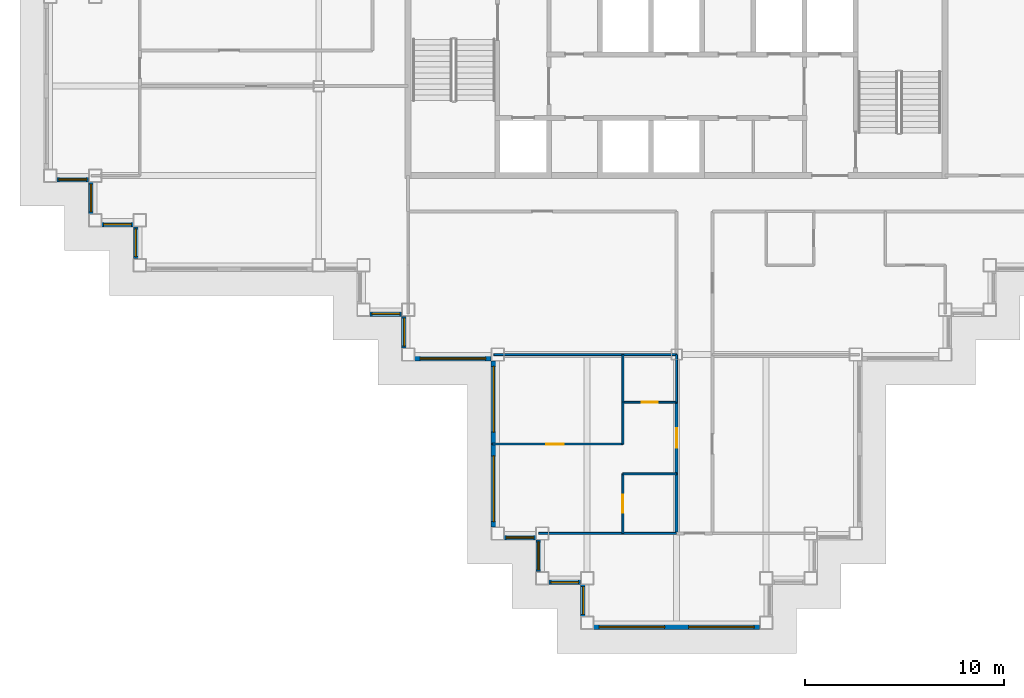
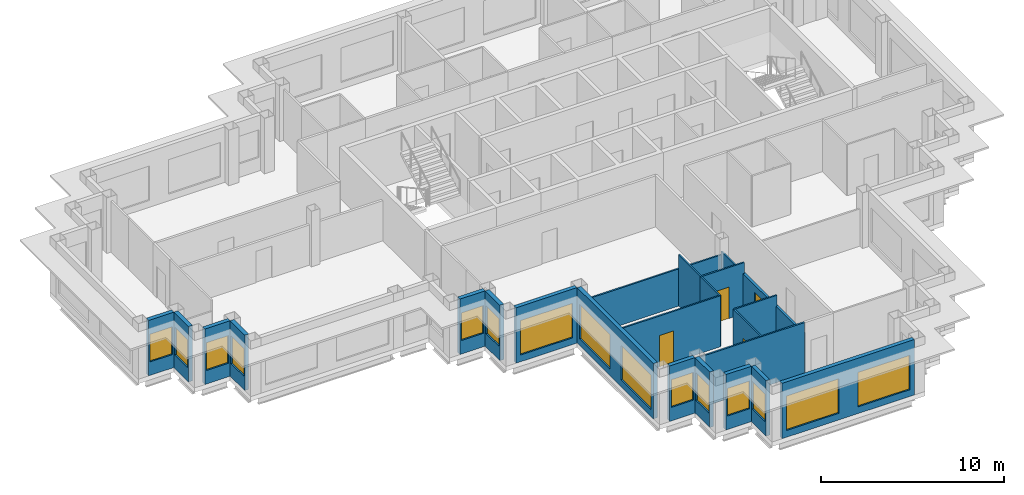
# One storey, part 2 of 11: 24 walls, 15 windows, 4 doors, 19 openings.
"""IFC4 building model written with IfcOpenShell, lengths in metres."""

from ifc_helpers import new_model, si_unit, direction, frame, frame_2d, origin, place, context, subcontext, project, spatial, rectangle, extrude, material, layer, layer_set, type_object, element, fill, save


model = new_model("IFC4")

# Units and contexts
model_context = context("Model", 3, precision=1e-05, world=origin(), true_north=direction((0.0, 1.0)))
body_context = subcontext(model_context, "Body", "Model", "MODEL_VIEW")
ifc_project = project(units=[si_unit("LENGTHUNIT", "METRE"), si_unit("AREAUNIT", "SQUARE_METRE"), si_unit("VOLUMEUNIT", "CUBIC_METRE"), si_unit("PLANEANGLEUNIT", "RADIAN"), si_unit("MASSUNIT", "GRAM", prefix="KILO")], contexts=[model_context])

# Site, building, storey
site_placement = place(None, origin())
site = spatial("IfcSite", under=ifc_project, at=site_placement, CompositionType="ELEMENT")
building_placement = place(site_placement, origin())
building = spatial("IfcBuilding", under=site, at=building_placement, Name="Caravel Reach Hotel and Residences", CompositionType="ELEMENT")
storey_placement = place(building_placement, frame((0.0, 0.0, 225.699951171875)))
storey = spatial("IfcBuildingStorey", under=building, at=storey_placement, Name="L57", CompositionType="ELEMENT", Elevation=225.699951171875)

# Wall, opening, door
ifc_material_1 = material(Name="Gypsum board on steel stud", Category="steel")
ifc_layer_1 = layer(ifc_material_1, 0.10009765625)
ifc_layer_set_1 = layer_set([ifc_layer_1], Name="Bathroom pod wall 100 mm")
wall_type_1 = type_object("IfcWallType", Name="Bathroom pod wall 100 mm", PredefinedType="PARTITIONING", material=ifc_layer_set_1)
wall_1_placement = place(storey_placement, frame((28.800048828125, 11.10009765625, 0.0), z_axis=(0.0, 0.0, 1.0), x_axis=(1.0, 0.0, 0.0)))
wall_1 = element("IfcWall", 1, at=wall_1_placement, inside=storey, type_object=wall_type_1, Name="L57 wall w062", PredefinedType="PARTITIONING", context=body_context, shape_type="SweptSolid", body=[
    extrude(rectangle(XDim=2.699951171875, YDim=0.10009765625, at=frame_2d((1.35009765625, 0.0))), origin(), (0.0, 0.0, 1.0), 3.400146484375),
])
opening_1_placement = place(wall_1_placement, frame((0.949951171875, 0.0, 0.0)))
opening_1 = element("IfcOpeningElement", 2, at=opening_1_placement, cuts=wall_1, Name="Opening D57-035", PredefinedType="OPENING", context=body_context, shape_type="SweptSolid", body=[
    extrude(rectangle(XDim=0.800048828125, YDim=2.10009765625, at=frame_2d((0.39990234375, 1.050048828125))), frame((0.0, 0.06005859375, 0.0), z_axis=(0.0, -1.0, 0.0), x_axis=(1.0, 0.0, 0.0)), (0.0, 0.0, 1.0), 0.1201171875),
])
ifc_material_2 = material(Name="Timber and steel door leaf", Category="steel")
door_type_1 = type_object("IfcDoorType", Name="Bathroom door 800 x 2100", OperationType="SINGLE_SWING_LEFT", PredefinedType="DOOR", material=ifc_material_2)
door_1_placement = place(opening_1_placement, origin())
door_1 = element("IfcDoor", 3, at=door_1_placement, inside=storey, type_object=door_type_1, Name="door D57-035", OperationType="SINGLE_SWING_RIGHT", OverallHeight=2.10009765625, OverallWidth=0.800048828125, PredefinedType="DOOR", context=body_context, shape_type="SweptSolid", body=[
    extrude(rectangle(XDim=0.800048828125, YDim=2.10009765625, at=frame_2d((0.39990234375, 1.050048828125))), frame((0.0, 0.02490234375, 0.0), z_axis=(0.0, -1.0, 0.0), x_axis=(1.0, 0.0, 0.0)), (0.0, 0.0, 1.0), 0.050048828125),
])
fill(opening_1, door_1)

# Walls
wall_2_placement = place(storey_placement, frame((28.800048828125, 13.5, 0.0), z_axis=(0.0, 0.0, 1.0), x_axis=(1.0, 0.0, 0.0)))
element("IfcWall", 4, at=wall_2_placement, inside=storey, type_object=wall_type_1, Name="L57 wall w063", PredefinedType="PARTITIONING", context=body_context, shape_type="SweptSolid", body=[
    extrude(rectangle(XDim=2.699951171875, YDim=0.10009765625, at=frame_2d((1.35009765625, 0.0))), origin(), (0.0, 0.0, 1.0), 2.47998046875),
])
wall_3_placement = place(storey_placement, frame((28.800048828125, 11.10009765625, 0.0), z_axis=(0.0, 0.0, 1.0), x_axis=(0.0, 1.0, 0.0)))
element("IfcWall", 5, at=wall_3_placement, inside=storey, type_object=wall_type_1, Name="L57 wall w076", PredefinedType="PARTITIONING", context=body_context, shape_type="SweptSolid", body=[
    extrude(rectangle(XDim=2.39990234375, YDim=0.10009765625, at=frame_2d((1.199951171875, 0.0))), origin(), (0.0, 0.0, 1.0), 3.400146484375),
])
wall_4_placement = place(storey_placement, frame((31.5, 11.10009765625, 0.0), z_axis=(0.0, 0.0, 1.0), x_axis=(0.0, 1.0, 0.0)))
element("IfcWall", 6, at=wall_4_placement, inside=storey, type_object=wall_type_1, Name="L57 wall w078", PredefinedType="PARTITIONING", context=body_context, shape_type="SweptSolid", body=[
    extrude(rectangle(XDim=2.39990234375, YDim=0.10009765625, at=frame_2d((1.199951171875, 0.0))), origin(), (0.0, 0.0, 1.0), 2.679931640625),
])

# Wall, opening, door
ifc_material_3 = material(Name="Gypsum board on steel stud, fire-rated", Category="steel")
ifc_layer_2 = layer(ifc_material_3, 0.14990234375)
ifc_layer_set_2 = layer_set([ifc_layer_2], Name="Corridor wall 150 mm EI 60")
wall_type_2 = type_object("IfcWallType", Name="Corridor wall 150 mm EI 60", PredefinedType="PARTITIONING", material=ifc_layer_set_2)
wall_5_placement = place(storey_placement, frame((31.5, 4.5, 0.0), z_axis=(0.0, 0.0, 1.0), x_axis=(0.0, 1.0, 0.0)))
wall_5 = element("IfcWall", 7, at=wall_5_placement, inside=storey, type_object=wall_type_2, Name="L57 wall w021", PredefinedType="PARTITIONING", context=body_context, shape_type="SweptSolid", body=[
    extrude(rectangle(XDim=6.60009765625, YDim=0.14990234375, at=frame_2d((3.300048828125, 0.0))), origin(), (0.0, 0.0, 1.0), 2.679931640625),
])
opening_2_placement = place(wall_5_placement, frame((4.300048828125, 0.0, 0.0)))
opening_2 = element("IfcOpeningElement", 8, at=opening_2_placement, cuts=wall_5, Name="Opening D57-033", PredefinedType="OPENING", context=body_context, shape_type="SweptSolid", body=[
    extrude(rectangle(XDim=1.0, YDim=2.199951171875, at=frame_2d((0.5, 1.10009765625))), frame((0.0, 0.0849609375, 0.0), z_axis=(0.0, -1.0, 0.0), x_axis=(1.0, 0.0, 0.0)), (0.0, 0.0, 1.0), 0.169921875),
])
ifc_material_4 = material(Name="Steel fire door leaf", Category="steel")
door_type_2 = type_object("IfcDoorType", Name="Flat entrance door 1000 x 2200 EI 60", OperationType="SINGLE_SWING_LEFT", PredefinedType="DOOR", material=ifc_material_4)
door_2_placement = place(opening_2_placement, origin())
door_2 = element("IfcDoor", 9, at=door_2_placement, inside=storey, type_object=door_type_2, Name="door D57-033", OperationType="SINGLE_SWING_RIGHT", OverallHeight=2.199951171875, OverallWidth=1.0, PredefinedType="DOOR", context=body_context, shape_type="SweptSolid", body=[
    extrude(rectangle(XDim=1.0, YDim=2.199951171875, at=frame_2d((0.5, 1.10009765625))), frame((0.0, 0.02490234375, 0.0), z_axis=(0.0, -1.0, 0.0), x_axis=(1.0, 0.0, 0.0)), (0.0, 0.0, 1.0), 0.050048828125),
])
fill(opening_2, door_2)

# Wall, opening, window
ifc_material_5 = material(Name="Insulated rainscreen wall, aluminium cladding", Category="aluminium")
ifc_layer_3 = layer(ifc_material_5, 0.25)
ifc_layer_set_3 = layer_set([ifc_layer_3], Name="EW1 Tower rainscreen wall")
wall_type_3 = type_object("IfcWallType", Name="EW1 Tower rainscreen wall", PredefinedType="SOLIDWALL", material=ifc_layer_set_3)
wall_6_placement = place(storey_placement, frame((0.324951171875, 22.300048828125, 0.0), z_axis=(0.0, 0.0, 1.0), x_axis=(1.0, 0.0, 0.0)))
wall_6 = element("IfcWall", 10, at=wall_6_placement, inside=storey, type_object=wall_type_3, Name="External wall L57 S21.1", PredefinedType="SOLIDWALL", context=body_context, shape_type="SweptSolid", body=[
    extrude(rectangle(XDim=1.60009765625, YDim=0.25, at=frame_2d((0.800048828125, 0.0))), origin(), (0.0, 0.0, 1.0), 3.699951171875),
])
opening_3_placement = place(wall_6_placement, frame((0.10009765625, 0.0, 0.89990234375)))
opening_3 = element("IfcOpeningElement", 11, at=opening_3_placement, cuts=wall_6, Name="Opening WN22", PredefinedType="OPENING", context=body_context, shape_type="SweptSolid", body=[
    extrude(rectangle(XDim=1.39990234375, YDim=1.85009765625, at=frame_2d((0.699951171875, 0.925048828125))), frame((0.0, 0.135009765625, 0.0), z_axis=(0.0, -1.0, 0.0), x_axis=(1.0, 0.0, 0.0)), (0.0, 0.0, 1.0), 0.27001953125),
])
ifc_material_6 = material(Name="Dark low-e glazing in black aluminium frame", Category="aluminium")
window_type_1 = type_object("IfcWindowType", Name="Residence bedroom window 1400 x 1850", PartitioningType="SINGLE_PANEL", PredefinedType="WINDOW", material=ifc_material_6)
window_1_placement = place(opening_3_placement, origin())
window_1 = element("IfcWindow", 12, at=window_1_placement, inside=storey, type_object=window_type_1, Name="Window L57 S21.1.1", OverallHeight=1.85009765625, OverallWidth=1.39990234375, PartitioningType="SINGLE_PANEL", PredefinedType="WINDOW", context=body_context, shape_type="SweptSolid", body=[
    extrude(rectangle(XDim=1.39990234375, YDim=1.85009765625, at=frame_2d((0.699951171875, 0.925048828125))), frame((0.0, 0.030029296875, 0.0), z_axis=(0.0, -1.0, 0.0), x_axis=(1.0, 0.0, 0.0)), (0.0, 0.0, 1.0), 0.06005859375),
])
fill(opening_3, window_1)

wall_7_placement = place(storey_placement, frame((2.050048828125, 22.175048828125, 0.0), z_axis=(0.0, 0.0, 1.0), x_axis=(0.0, -1.0, 0.0)))
wall_7 = element("IfcWall", 13, at=wall_7_placement, inside=storey, type_object=wall_type_3, Name="External wall L57 W22.1", PredefinedType="SOLIDWALL", context=body_context, shape_type="SweptSolid", body=[
    extrude(rectangle(XDim=1.60009765625, YDim=0.25, at=frame_2d((0.800048828125, 0.0))), origin(), (0.0, 0.0, 1.0), 3.699951171875),
])
opening_4_placement = place(wall_7_placement, frame((0.10009765625, 0.0, 0.89990234375)))
opening_4 = element("IfcOpeningElement", 14, at=opening_4_placement, cuts=wall_7, Name="Opening WN22", PredefinedType="OPENING", context=body_context, shape_type="SweptSolid", body=[
    extrude(rectangle(XDim=1.39990234375, YDim=1.85009765625, at=frame_2d((0.699951171875, 0.925048828125))), frame((0.0, 0.135009765625, 0.0), z_axis=(0.0, -1.0, 0.0), x_axis=(1.0, 0.0, 0.0)), (0.0, 0.0, 1.0), 0.27001953125),
])
window_2_placement = place(opening_4_placement, origin())
window_2 = element("IfcWindow", 15, at=window_2_placement, inside=storey, type_object=window_type_1, Name="Window L57 W22.1.1", OverallHeight=1.85009765625, OverallWidth=1.39990234375, PartitioningType="SINGLE_PANEL", PredefinedType="WINDOW", context=body_context, shape_type="SweptSolid", body=[
    extrude(rectangle(XDim=1.39990234375, YDim=1.85009765625, at=frame_2d((0.699951171875, 0.925048828125))), frame((0.0, 0.030029296875, 0.0), z_axis=(0.0, -1.0, 0.0), x_axis=(1.0, 0.0, 0.0)), (0.0, 0.0, 1.0), 0.06005859375),
])
fill(opening_4, window_2)

wall_8_placement = place(storey_placement, frame((2.574951171875, 20.050048828125, 0.0), z_axis=(0.0, 0.0, 1.0), x_axis=(1.0, 0.0, 0.0)))
wall_8 = element("IfcWall", 16, at=wall_8_placement, inside=storey, type_object=wall_type_3, Name="External wall L57 S23.1", PredefinedType="SOLIDWALL", context=body_context, shape_type="SweptSolid", body=[
    extrude(rectangle(XDim=1.60009765625, YDim=0.25, at=frame_2d((0.800048828125, 0.0))), origin(), (0.0, 0.0, 1.0), 3.699951171875),
])
opening_5_placement = place(wall_8_placement, frame((0.10009765625, 0.0, 0.89990234375)))
opening_5 = element("IfcOpeningElement", 17, at=opening_5_placement, cuts=wall_8, Name="Opening WN22", PredefinedType="OPENING", context=body_context, shape_type="SweptSolid", body=[
    extrude(rectangle(XDim=1.39990234375, YDim=1.85009765625, at=frame_2d((0.699951171875, 0.925048828125))), frame((0.0, 0.135009765625, 0.0), z_axis=(0.0, -1.0, 0.0), x_axis=(1.0, 0.0, 0.0)), (0.0, 0.0, 1.0), 0.27001953125),
])
window_3_placement = place(opening_5_placement, origin())
window_3 = element("IfcWindow", 18, at=window_3_placement, inside=storey, type_object=window_type_1, Name="Window L57 S23.1.1", OverallHeight=1.85009765625, OverallWidth=1.39990234375, PartitioningType="SINGLE_PANEL", PredefinedType="WINDOW", context=body_context, shape_type="SweptSolid", body=[
    extrude(rectangle(XDim=1.39990234375, YDim=1.85009765625, at=frame_2d((0.699951171875, 0.925048828125))), frame((0.0, 0.030029296875, 0.0), z_axis=(0.0, -1.0, 0.0), x_axis=(1.0, 0.0, 0.0)), (0.0, 0.0, 1.0), 0.06005859375),
])
fill(opening_5, window_3)

wall_9_placement = place(storey_placement, frame((4.300048828125, 19.925048828125, 0.0), z_axis=(0.0, 0.0, 1.0), x_axis=(0.0, -1.0, 0.0)))
wall_9 = element("IfcWall", 19, at=wall_9_placement, inside=storey, type_object=wall_type_3, Name="External wall L57 W24.1", PredefinedType="SOLIDWALL", context=body_context, shape_type="SweptSolid", body=[
    extrude(rectangle(XDim=1.60009765625, YDim=0.25, at=frame_2d((0.800048828125, 0.0))), origin(), (0.0, 0.0, 1.0), 3.699951171875),
])
opening_6_placement = place(wall_9_placement, frame((0.10009765625, 0.0, 0.89990234375)))
opening_6 = element("IfcOpeningElement", 20, at=opening_6_placement, cuts=wall_9, Name="Opening WN22", PredefinedType="OPENING", context=body_context, shape_type="SweptSolid", body=[
    extrude(rectangle(XDim=1.39990234375, YDim=1.85009765625, at=frame_2d((0.699951171875, 0.925048828125))), frame((0.0, 0.135009765625, 0.0), z_axis=(0.0, -1.0, 0.0), x_axis=(1.0, 0.0, 0.0)), (0.0, 0.0, 1.0), 0.27001953125),
])
window_4_placement = place(opening_6_placement, origin())
window_4 = element("IfcWindow", 21, at=window_4_placement, inside=storey, type_object=window_type_1, Name="Window L57 W24.1.1", OverallHeight=1.85009765625, OverallWidth=1.39990234375, PartitioningType="SINGLE_PANEL", PredefinedType="WINDOW", context=body_context, shape_type="SweptSolid", body=[
    extrude(rectangle(XDim=1.39990234375, YDim=1.85009765625, at=frame_2d((0.699951171875, 0.925048828125))), frame((0.0, 0.030029296875, 0.0), z_axis=(0.0, -1.0, 0.0), x_axis=(1.0, 0.0, 0.0)), (0.0, 0.0, 1.0), 0.06005859375),
])
fill(opening_6, window_4)

wall_10_placement = place(storey_placement, frame((16.074951171875, 15.550048828125, 0.0), z_axis=(0.0, 0.0, 1.0), x_axis=(1.0, 0.0, 0.0)))
wall_10 = element("IfcWall", 22, at=wall_10_placement, inside=storey, type_object=wall_type_3, Name="External wall L57 S27.1", PredefinedType="SOLIDWALL", context=body_context, shape_type="SweptSolid", body=[
    extrude(rectangle(XDim=1.60009765625, YDim=0.25, at=frame_2d((0.800048828125, 0.0))), origin(), (0.0, 0.0, 1.0), 3.699951171875),
])
opening_7_placement = place(wall_10_placement, frame((0.10009765625, 0.0, 0.89990234375)))
opening_7 = element("IfcOpeningElement", 23, at=opening_7_placement, cuts=wall_10, Name="Opening WN22", PredefinedType="OPENING", context=body_context, shape_type="SweptSolid", body=[
    extrude(rectangle(XDim=1.39990234375, YDim=1.85009765625, at=frame_2d((0.699951171875, 0.925048828125))), frame((0.0, 0.135009765625, 0.0), z_axis=(0.0, -1.0, 0.0), x_axis=(1.0, 0.0, 0.0)), (0.0, 0.0, 1.0), 0.27001953125),
])
window_5_placement = place(opening_7_placement, origin())
window_5 = element("IfcWindow", 24, at=window_5_placement, inside=storey, type_object=window_type_1, Name="Window L57 S27.1.1", OverallHeight=1.85009765625, OverallWidth=1.39990234375, PartitioningType="SINGLE_PANEL", PredefinedType="WINDOW", context=body_context, shape_type="SweptSolid", body=[
    extrude(rectangle(XDim=1.39990234375, YDim=1.85009765625, at=frame_2d((0.699951171875, 0.925048828125))), frame((0.0, 0.030029296875, 0.0), z_axis=(0.0, -1.0, 0.0), x_axis=(1.0, 0.0, 0.0)), (0.0, 0.0, 1.0), 0.06005859375),
])
fill(opening_7, window_5)

wall_11_placement = place(storey_placement, frame((17.800048828125, 15.425048828125, 0.0), z_axis=(0.0, 0.0, 1.0), x_axis=(0.0, -1.0, 0.0)))
wall_11 = element("IfcWall", 25, at=wall_11_placement, inside=storey, type_object=wall_type_3, Name="External wall L57 W28.1", PredefinedType="SOLIDWALL", context=body_context, shape_type="SweptSolid", body=[
    extrude(rectangle(XDim=1.60009765625, YDim=0.25, at=frame_2d((0.800048828125, 0.0))), origin(), (0.0, 0.0, 1.0), 3.699951171875),
])
opening_8_placement = place(wall_11_placement, frame((0.10009765625, 0.0, 0.89990234375)))
opening_8 = element("IfcOpeningElement", 26, at=opening_8_placement, cuts=wall_11, Name="Opening WN22", PredefinedType="OPENING", context=body_context, shape_type="SweptSolid", body=[
    extrude(rectangle(XDim=1.39990234375, YDim=1.85009765625, at=frame_2d((0.699951171875, 0.925048828125))), frame((0.0, 0.135009765625, 0.0), z_axis=(0.0, -1.0, 0.0), x_axis=(1.0, 0.0, 0.0)), (0.0, 0.0, 1.0), 0.27001953125),
])
window_6_placement = place(opening_8_placement, origin())
window_6 = element("IfcWindow", 27, at=window_6_placement, inside=storey, type_object=window_type_1, Name="Window L57 W28.1.1", OverallHeight=1.85009765625, OverallWidth=1.39990234375, PartitioningType="SINGLE_PANEL", PredefinedType="WINDOW", context=body_context, shape_type="SweptSolid", body=[
    extrude(rectangle(XDim=1.39990234375, YDim=1.85009765625, at=frame_2d((0.699951171875, 0.925048828125))), frame((0.0, 0.030029296875, 0.0), z_axis=(0.0, -1.0, 0.0), x_axis=(1.0, 0.0, 0.0)), (0.0, 0.0, 1.0), 0.06005859375),
])
fill(opening_8, window_6)

wall_12_placement = place(storey_placement, frame((18.324951171875, 13.300048828125, 0.0), z_axis=(0.0, 0.0, 1.0), x_axis=(1.0, 0.0, 0.0)))
wall_12 = element("IfcWall", 28, at=wall_12_placement, inside=storey, type_object=wall_type_3, Name="External wall L57 S29.1", PredefinedType="SOLIDWALL", context=body_context, shape_type="SweptSolid", body=[
    extrude(rectangle(XDim=3.85009765625, YDim=0.25, at=frame_2d((1.925048828125, 0.0))), origin(), (0.0, 0.0, 1.0), 3.699951171875),
])
opening_9_placement = place(wall_12_placement, frame((0.27490234375, 0.0, 0.449951171875)))
opening_9 = element("IfcOpeningElement", 29, at=opening_9_placement, cuts=wall_12, Name="Opening WN15", PredefinedType="OPENING", context=body_context, shape_type="SweptSolid", body=[
    extrude(rectangle(XDim=3.300048828125, YDim=2.300048828125, at=frame_2d((1.64990234375, 1.14990234375))), frame((0.0, 0.135009765625, 0.0), z_axis=(0.0, -1.0, 0.0), x_axis=(1.0, 0.0, 0.0)), (0.0, 0.0, 1.0), 0.27001953125),
])
ifc_material_7 = material(Name="Dark low-e glazing in black aluminium frame", Category="aluminium")
window_type_2 = type_object("IfcWindowType", Name="Residence living window 3300 x 2300", PartitioningType="SINGLE_PANEL", PredefinedType="WINDOW", material=ifc_material_7)
window_7_placement = place(opening_9_placement, origin())
window_7 = element("IfcWindow", 30, at=window_7_placement, inside=storey, type_object=window_type_2, Name="Window L57 S29.1.1", OverallHeight=2.300048828125, OverallWidth=3.300048828125, PartitioningType="SINGLE_PANEL", PredefinedType="WINDOW", context=body_context, shape_type="SweptSolid", body=[
    extrude(rectangle(XDim=3.300048828125, YDim=2.300048828125, at=frame_2d((1.64990234375, 1.14990234375))), frame((0.0, 0.030029296875, 0.0), z_axis=(0.0, -1.0, 0.0), x_axis=(1.0, 0.0, 0.0)), (0.0, 0.0, 1.0), 0.06005859375),
])
fill(opening_9, window_7)

# Wall, openings, windows
wall_13_placement = place(storey_placement, frame((22.300048828125, 13.175048828125, 0.0), z_axis=(0.0, 0.0, 1.0), x_axis=(0.0, -1.0, 0.0)))
wall_13 = element("IfcWall", 31, at=wall_13_placement, inside=storey, type_object=wall_type_3, Name="External wall L57 W30.1", PredefinedType="SOLIDWALL", context=body_context, shape_type="SweptSolid", body=[
    extrude(rectangle(XDim=8.35009765625, YDim=0.25, at=frame_2d((4.175048828125, 0.0))), origin(), (0.0, 0.0, 1.0), 3.699951171875),
])
opening_10_placement = place(wall_13_placement, frame((0.27490234375, 0.0, 0.449951171875)))
opening_10 = element("IfcOpeningElement", 32, at=opening_10_placement, cuts=wall_13, Name="Opening WN15", PredefinedType="OPENING", context=body_context, shape_type="SweptSolid", body=[
    extrude(rectangle(XDim=3.300048828125, YDim=2.300048828125, at=frame_2d((1.64990234375, 1.14990234375))), frame((0.0, 0.135009765625, 0.0), z_axis=(0.0, -1.0, 0.0), x_axis=(1.0, 0.0, 0.0)), (0.0, 0.0, 1.0), 0.27001953125),
])
opening_11_placement = place(wall_13_placement, frame((4.77490234375, 0.0, 0.449951171875)))
opening_11 = element("IfcOpeningElement", 33, at=opening_11_placement, cuts=wall_13, Name="Opening WN15", PredefinedType="OPENING", context=body_context, shape_type="SweptSolid", body=[
    extrude(rectangle(XDim=3.300048828125, YDim=2.300048828125, at=frame_2d((1.64990234375, 1.14990234375))), frame((0.0, 0.135009765625, 0.0), z_axis=(0.0, -1.0, 0.0), x_axis=(1.0, 0.0, 0.0)), (0.0, 0.0, 1.0), 0.27001953125),
])
window_8_placement = place(opening_10_placement, origin())
window_8 = element("IfcWindow", 34, at=window_8_placement, inside=storey, type_object=window_type_2, Name="Window L57 W30.1.1", OverallHeight=2.300048828125, OverallWidth=3.300048828125, PartitioningType="SINGLE_PANEL", PredefinedType="WINDOW", context=body_context, shape_type="SweptSolid", body=[
    extrude(rectangle(XDim=3.300048828125, YDim=2.300048828125, at=frame_2d((1.64990234375, 1.14990234375))), frame((0.0, 0.030029296875, 0.0), z_axis=(0.0, -1.0, 0.0), x_axis=(1.0, 0.0, 0.0)), (0.0, 0.0, 1.0), 0.06005859375),
])
fill(opening_10, window_8)
window_9_placement = place(opening_11_placement, origin())
window_9 = element("IfcWindow", 35, at=window_9_placement, inside=storey, type_object=window_type_2, Name="Window L57 W30.1.2", OverallHeight=2.300048828125, OverallWidth=3.300048828125, PartitioningType="SINGLE_PANEL", PredefinedType="WINDOW", context=body_context, shape_type="SweptSolid", body=[
    extrude(rectangle(XDim=3.300048828125, YDim=2.300048828125, at=frame_2d((1.64990234375, 1.14990234375))), frame((0.0, 0.030029296875, 0.0), z_axis=(0.0, -1.0, 0.0), x_axis=(1.0, 0.0, 0.0)), (0.0, 0.0, 1.0), 0.06005859375),
])
fill(opening_11, window_9)

# Wall, opening, window
wall_14_placement = place(storey_placement, frame((22.824951171875, 4.300048828125, 0.0), z_axis=(0.0, 0.0, 1.0), x_axis=(1.0, 0.0, 0.0)))
wall_14 = element("IfcWall", 36, at=wall_14_placement, inside=storey, type_object=wall_type_3, Name="External wall L57 S31.1", PredefinedType="SOLIDWALL", context=body_context, shape_type="SweptSolid", body=[
    extrude(rectangle(XDim=1.60009765625, YDim=0.25, at=frame_2d((0.800048828125, 0.0))), origin(), (0.0, 0.0, 1.0), 3.699951171875),
])
opening_12_placement = place(wall_14_placement, frame((0.10009765625, 0.0, 0.89990234375)))
opening_12 = element("IfcOpeningElement", 37, at=opening_12_placement, cuts=wall_14, Name="Opening WN22", PredefinedType="OPENING", context=body_context, shape_type="SweptSolid", body=[
    extrude(rectangle(XDim=1.39990234375, YDim=1.85009765625, at=frame_2d((0.699951171875, 0.925048828125))), frame((0.0, 0.135009765625, 0.0), z_axis=(0.0, -1.0, 0.0), x_axis=(1.0, 0.0, 0.0)), (0.0, 0.0, 1.0), 0.27001953125),
])
window_10_placement = place(opening_12_placement, origin())
window_10 = element("IfcWindow", 38, at=window_10_placement, inside=storey, type_object=window_type_1, Name="Window L57 S31.1.1", OverallHeight=1.85009765625, OverallWidth=1.39990234375, PartitioningType="SINGLE_PANEL", PredefinedType="WINDOW", context=body_context, shape_type="SweptSolid", body=[
    extrude(rectangle(XDim=1.39990234375, YDim=1.85009765625, at=frame_2d((0.699951171875, 0.925048828125))), frame((0.0, 0.030029296875, 0.0), z_axis=(0.0, -1.0, 0.0), x_axis=(1.0, 0.0, 0.0)), (0.0, 0.0, 1.0), 0.06005859375),
])
fill(opening_12, window_10)

wall_15_placement = place(storey_placement, frame((24.550048828125, 4.175048828125, 0.0), z_axis=(0.0, 0.0, 1.0), x_axis=(0.0, -1.0, 0.0)))
wall_15 = element("IfcWall", 39, at=wall_15_placement, inside=storey, type_object=wall_type_3, Name="External wall L57 W32.1", PredefinedType="SOLIDWALL", context=body_context, shape_type="SweptSolid", body=[
    extrude(rectangle(XDim=1.60009765625, YDim=0.25, at=frame_2d((0.800048828125, 0.0))), origin(), (0.0, 0.0, 1.0), 3.699951171875),
])
opening_13_placement = place(wall_15_placement, frame((0.10009765625, 0.0, 0.89990234375)))
opening_13 = element("IfcOpeningElement", 40, at=opening_13_placement, cuts=wall_15, Name="Opening WN22", PredefinedType="OPENING", context=body_context, shape_type="SweptSolid", body=[
    extrude(rectangle(XDim=1.39990234375, YDim=1.85009765625, at=frame_2d((0.699951171875, 0.925048828125))), frame((0.0, 0.135009765625, 0.0), z_axis=(0.0, -1.0, 0.0), x_axis=(1.0, 0.0, 0.0)), (0.0, 0.0, 1.0), 0.27001953125),
])
window_11_placement = place(opening_13_placement, origin())
window_11 = element("IfcWindow", 41, at=window_11_placement, inside=storey, type_object=window_type_1, Name="Window L57 W32.1.1", OverallHeight=1.85009765625, OverallWidth=1.39990234375, PartitioningType="SINGLE_PANEL", PredefinedType="WINDOW", context=body_context, shape_type="SweptSolid", body=[
    extrude(rectangle(XDim=1.39990234375, YDim=1.85009765625, at=frame_2d((0.699951171875, 0.925048828125))), frame((0.0, 0.030029296875, 0.0), z_axis=(0.0, -1.0, 0.0), x_axis=(1.0, 0.0, 0.0)), (0.0, 0.0, 1.0), 0.06005859375),
])
fill(opening_13, window_11)

wall_16_placement = place(storey_placement, frame((25.074951171875, 2.050048828125, 0.0), z_axis=(0.0, 0.0, 1.0), x_axis=(1.0, 0.0, 0.0)))
wall_16 = element("IfcWall", 42, at=wall_16_placement, inside=storey, type_object=wall_type_3, Name="External wall L57 S33.1", PredefinedType="SOLIDWALL", context=body_context, shape_type="SweptSolid", body=[
    extrude(rectangle(XDim=1.60009765625, YDim=0.25, at=frame_2d((0.800048828125, 0.0))), origin(), (0.0, 0.0, 1.0), 3.699951171875),
])
opening_14_placement = place(wall_16_placement, frame((0.10009765625, 0.0, 0.89990234375)))
opening_14 = element("IfcOpeningElement", 43, at=opening_14_placement, cuts=wall_16, Name="Opening WN22", PredefinedType="OPENING", context=body_context, shape_type="SweptSolid", body=[
    extrude(rectangle(XDim=1.39990234375, YDim=1.85009765625, at=frame_2d((0.699951171875, 0.925048828125))), frame((0.0, 0.135009765625, 0.0), z_axis=(0.0, -1.0, 0.0), x_axis=(1.0, 0.0, 0.0)), (0.0, 0.0, 1.0), 0.27001953125),
])
window_12_placement = place(opening_14_placement, origin())
window_12 = element("IfcWindow", 44, at=window_12_placement, inside=storey, type_object=window_type_1, Name="Window L57 S33.1.1", OverallHeight=1.85009765625, OverallWidth=1.39990234375, PartitioningType="SINGLE_PANEL", PredefinedType="WINDOW", context=body_context, shape_type="SweptSolid", body=[
    extrude(rectangle(XDim=1.39990234375, YDim=1.85009765625, at=frame_2d((0.699951171875, 0.925048828125))), frame((0.0, 0.030029296875, 0.0), z_axis=(0.0, -1.0, 0.0), x_axis=(1.0, 0.0, 0.0)), (0.0, 0.0, 1.0), 0.06005859375),
])
fill(opening_14, window_12)

wall_17_placement = place(storey_placement, frame((26.800048828125, 1.925048828125, 0.0), z_axis=(0.0, 0.0, 1.0), x_axis=(0.0, -1.0, 0.0)))
wall_17 = element("IfcWall", 45, at=wall_17_placement, inside=storey, type_object=wall_type_3, Name="External wall L57 W34.1", PredefinedType="SOLIDWALL", context=body_context, shape_type="SweptSolid", body=[
    extrude(rectangle(XDim=1.60009765625, YDim=0.25, at=frame_2d((0.800048828125, 0.0))), origin(), (0.0, 0.0, 1.0), 3.699951171875),
])
opening_15_placement = place(wall_17_placement, frame((0.10009765625, 0.0, 0.89990234375)))
opening_15 = element("IfcOpeningElement", 46, at=opening_15_placement, cuts=wall_17, Name="Opening WN22", PredefinedType="OPENING", context=body_context, shape_type="SweptSolid", body=[
    extrude(rectangle(XDim=1.39990234375, YDim=1.85009765625, at=frame_2d((0.699951171875, 0.925048828125))), frame((0.0, 0.135009765625, 0.0), z_axis=(0.0, -1.0, 0.0), x_axis=(1.0, 0.0, 0.0)), (0.0, 0.0, 1.0), 0.27001953125),
])
window_13_placement = place(opening_15_placement, origin())
window_13 = element("IfcWindow", 47, at=window_13_placement, inside=storey, type_object=window_type_1, Name="Window L57 W34.1.1", OverallHeight=1.85009765625, OverallWidth=1.39990234375, PartitioningType="SINGLE_PANEL", PredefinedType="WINDOW", context=body_context, shape_type="SweptSolid", body=[
    extrude(rectangle(XDim=1.39990234375, YDim=1.85009765625, at=frame_2d((0.699951171875, 0.925048828125))), frame((0.0, 0.030029296875, 0.0), z_axis=(0.0, -1.0, 0.0), x_axis=(1.0, 0.0, 0.0)), (0.0, 0.0, 1.0), 0.06005859375),
])
fill(opening_15, window_13)

# Wall, openings, windows
wall_18_placement = place(storey_placement, frame((27.324951171875, -0.199951171875, 0.0), z_axis=(0.0, 0.0, 1.0), x_axis=(1.0, 0.0, 0.0)))
wall_18 = element("IfcWall", 48, at=wall_18_placement, inside=storey, type_object=wall_type_3, Name="External wall L57 S35.1", PredefinedType="SOLIDWALL", context=body_context, shape_type="SweptSolid", body=[
    extrude(rectangle(XDim=8.35009765625, YDim=0.25, at=frame_2d((4.175048828125, 0.0))), origin(), (0.0, 0.0, 1.0), 3.699951171875),
])
opening_16_placement = place(wall_18_placement, frame((0.27490234375, 0.0, 0.449951171875)))
opening_16 = element("IfcOpeningElement", 49, at=opening_16_placement, cuts=wall_18, Name="Opening WN15", PredefinedType="OPENING", context=body_context, shape_type="SweptSolid", body=[
    extrude(rectangle(XDim=3.300048828125, YDim=2.300048828125, at=frame_2d((1.64990234375, 1.14990234375))), frame((0.0, 0.135009765625, 0.0), z_axis=(0.0, -1.0, 0.0), x_axis=(1.0, 0.0, 0.0)), (0.0, 0.0, 1.0), 0.27001953125),
])
opening_17_placement = place(wall_18_placement, frame((4.77490234375, 0.0, 0.449951171875)))
opening_17 = element("IfcOpeningElement", 50, at=opening_17_placement, cuts=wall_18, Name="Opening WN15", PredefinedType="OPENING", context=body_context, shape_type="SweptSolid", body=[
    extrude(rectangle(XDim=3.300048828125, YDim=2.300048828125, at=frame_2d((1.64990234375, 1.14990234375))), frame((0.0, 0.135009765625, 0.0), z_axis=(0.0, -1.0, 0.0), x_axis=(1.0, 0.0, 0.0)), (0.0, 0.0, 1.0), 0.27001953125),
])
window_14_placement = place(opening_16_placement, origin())
window_14 = element("IfcWindow", 51, at=window_14_placement, inside=storey, type_object=window_type_2, Name="Window L57 S35.1.1", OverallHeight=2.300048828125, OverallWidth=3.300048828125, PartitioningType="SINGLE_PANEL", PredefinedType="WINDOW", context=body_context, shape_type="SweptSolid", body=[
    extrude(rectangle(XDim=3.300048828125, YDim=2.300048828125, at=frame_2d((1.64990234375, 1.14990234375))), frame((0.0, 0.030029296875, 0.0), z_axis=(0.0, -1.0, 0.0), x_axis=(1.0, 0.0, 0.0)), (0.0, 0.0, 1.0), 0.06005859375),
])
fill(opening_16, window_14)
window_15_placement = place(opening_17_placement, origin())
window_15 = element("IfcWindow", 52, at=window_15_placement, inside=storey, type_object=window_type_2, Name="Window L57 S35.1.2", OverallHeight=2.300048828125, OverallWidth=3.300048828125, PartitioningType="SINGLE_PANEL", PredefinedType="WINDOW", context=body_context, shape_type="SweptSolid", body=[
    extrude(rectangle(XDim=3.300048828125, YDim=2.300048828125, at=frame_2d((1.64990234375, 1.14990234375))), frame((0.0, 0.030029296875, 0.0), z_axis=(0.0, -1.0, 0.0), x_axis=(1.0, 0.0, 0.0)), (0.0, 0.0, 1.0), 0.06005859375),
])
fill(opening_17, window_15)

# Walls
ifc_material_8 = material(Name="Gypsum board on steel stud", Category="steel")
ifc_layer_4 = layer(ifc_material_8, 0.10009765625)
ifc_layer_set_4 = layer_set([ifc_layer_4], Name="Partition 100 mm")
wall_type_4 = type_object("IfcWallType", Name="Partition 100 mm", PredefinedType="PARTITIONING", material=ifc_layer_set_4)
wall_19_placement = place(storey_placement, frame((22.31005859375, 13.5, 0.0), z_axis=(0.0, 0.0, 1.0), x_axis=(1.0, 0.0, 0.0)))
element("IfcWall", 53, at=wall_19_placement, inside=storey, type_object=wall_type_4, Name="L57 wall w029", PredefinedType="PARTITIONING", context=body_context, shape_type="SweptSolid", body=[
    extrude(rectangle(XDim=6.489990234375, YDim=0.10009765625, at=frame_2d((3.2451171875, 0.0))), origin(), (0.0, 0.0, 1.0), 2.47998046875),
])
wall_20_placement = place(storey_placement, frame((24.56005859375, 4.5, 0.0), z_axis=(0.0, 0.0, 1.0), x_axis=(1.0, 0.0, 0.0)))
element("IfcWall", 54, at=wall_20_placement, inside=storey, type_object=wall_type_4, Name="L57 wall w039", PredefinedType="PARTITIONING", context=body_context, shape_type="SweptSolid", body=[
    extrude(rectangle(XDim=6.93994140625, YDim=0.10009765625, at=frame_2d((3.469970703125, 0.0))), origin(), (0.0, 0.0, 1.0), 3.400146484375),
])
wall_21_placement = place(storey_placement, frame((28.800048828125, 7.5, 0.0), z_axis=(0.0, 0.0, 1.0), x_axis=(1.0, 0.0, 0.0)))
element("IfcWall", 55, at=wall_21_placement, inside=storey, type_object=wall_type_4, Name="L57 wall w041", PredefinedType="PARTITIONING", context=body_context, shape_type="SweptSolid", body=[
    extrude(rectangle(XDim=2.699951171875, YDim=0.10009765625, at=frame_2d((1.35009765625, 0.0))), origin(), (0.0, 0.0, 1.0), 3.400146484375),
])

# Wall, opening, door
wall_22_placement = place(storey_placement, frame((22.235107421875, 9.0, 0.0), z_axis=(0.0, 0.0, 1.0), x_axis=(1.0, 0.0, 0.0)))
wall_22 = element("IfcWall", 56, at=wall_22_placement, inside=storey, type_object=wall_type_4, Name="L57 wall w042", PredefinedType="PARTITIONING", context=body_context, shape_type="SweptSolid", body=[
    extrude(rectangle(XDim=6.56494140625, YDim=0.10009765625, at=frame_2d((3.282470703125, 0.0))), origin(), (0.0, 0.0, 1.0), 3.400146484375),
])
opening_18_placement = place(wall_22_placement, frame((2.699951171875, 0.0, 0.0)))
opening_18 = element("IfcOpeningElement", 57, at=opening_18_placement, cuts=wall_22, Name="Opening D57-036", PredefinedType="OPENING", context=body_context, shape_type="SweptSolid", body=[
    extrude(rectangle(XDim=0.89990234375, YDim=2.10009765625, at=frame_2d((0.449951171875, 1.050048828125))), frame((0.0, 0.06005859375, 0.0), z_axis=(0.0, -1.0, 0.0), x_axis=(1.0, 0.0, 0.0)), (0.0, 0.0, 1.0), 0.1201171875),
])
ifc_material_9 = material(Name="Timber and steel door leaf", Category="steel")
door_type_3 = type_object("IfcDoorType", Name="Door 900 x 2100 timber", OperationType="SINGLE_SWING_LEFT", PredefinedType="DOOR", material=ifc_material_9)
door_3_placement = place(opening_18_placement, origin())
door_3 = element("IfcDoor", 58, at=door_3_placement, inside=storey, type_object=door_type_3, Name="door D57-036", OperationType="SINGLE_SWING_LEFT", OverallHeight=2.10009765625, OverallWidth=0.89990234375, PredefinedType="DOOR", context=body_context, shape_type="SweptSolid", body=[
    extrude(rectangle(XDim=0.89990234375, YDim=2.10009765625, at=frame_2d((0.449951171875, 1.050048828125))), frame((0.0, 0.02490234375, 0.0), z_axis=(0.0, -1.0, 0.0), x_axis=(1.0, 0.0, 0.0)), (0.0, 0.0, 1.0), 0.050048828125),
])
fill(opening_18, door_3)

# Wall
wall_23_placement = place(storey_placement, frame((28.800048828125, 9.0, 0.0), z_axis=(0.0, 0.0, 1.0), x_axis=(0.0, 1.0, 0.0)))
element("IfcWall", 59, at=wall_23_placement, inside=storey, type_object=wall_type_4, Name="L57 wall w047", PredefinedType="PARTITIONING", context=body_context, shape_type="SweptSolid", body=[
    extrude(rectangle(XDim=2.10009765625, YDim=0.10009765625, at=frame_2d((1.050048828125, 0.0))), origin(), (0.0, 0.0, 1.0), 3.400146484375),
])

# Wall, opening, door
wall_24_placement = place(storey_placement, frame((28.800048828125, 4.5, 0.0), z_axis=(0.0, 0.0, 1.0), x_axis=(0.0, 1.0, 0.0)))
wall_24 = element("IfcWall", 60, at=wall_24_placement, inside=storey, type_object=wall_type_4, Name="L57 wall w048", PredefinedType="PARTITIONING", context=body_context, shape_type="SweptSolid", body=[
    extrude(rectangle(XDim=3.0, YDim=0.10009765625, at=frame_2d((1.5, 0.0))), origin(), (0.0, 0.0, 1.0), 3.400146484375),
])
opening_19_placement = place(wall_24_placement, frame((1.050048828125, 0.0, 0.0)))
opening_19 = element("IfcOpeningElement", 61, at=opening_19_placement, cuts=wall_24, Name="Opening D57-034", PredefinedType="OPENING", context=body_context, shape_type="SweptSolid", body=[
    extrude(rectangle(XDim=0.89990234375, YDim=2.10009765625, at=frame_2d((0.449951171875, 1.050048828125))), frame((0.0, 0.06005859375, 0.0), z_axis=(0.0, -1.0, 0.0), x_axis=(1.0, 0.0, 0.0)), (0.0, 0.0, 1.0), 0.1201171875),
])
door_4_placement = place(opening_19_placement, origin())
door_4 = element("IfcDoor", 62, at=door_4_placement, inside=storey, type_object=door_type_3, Name="door D57-034", OperationType="SINGLE_SWING_LEFT", OverallHeight=2.10009765625, OverallWidth=0.89990234375, PredefinedType="DOOR", context=body_context, shape_type="SweptSolid", body=[
    extrude(rectangle(XDim=0.89990234375, YDim=2.10009765625, at=frame_2d((0.449951171875, 1.050048828125))), frame((0.0, 0.02490234375, 0.0), z_axis=(0.0, -1.0, 0.0), x_axis=(1.0, 0.0, 0.0)), (0.0, 0.0, 1.0), 0.050048828125),
])
fill(opening_19, door_4)

save(model, "model.ifc")
